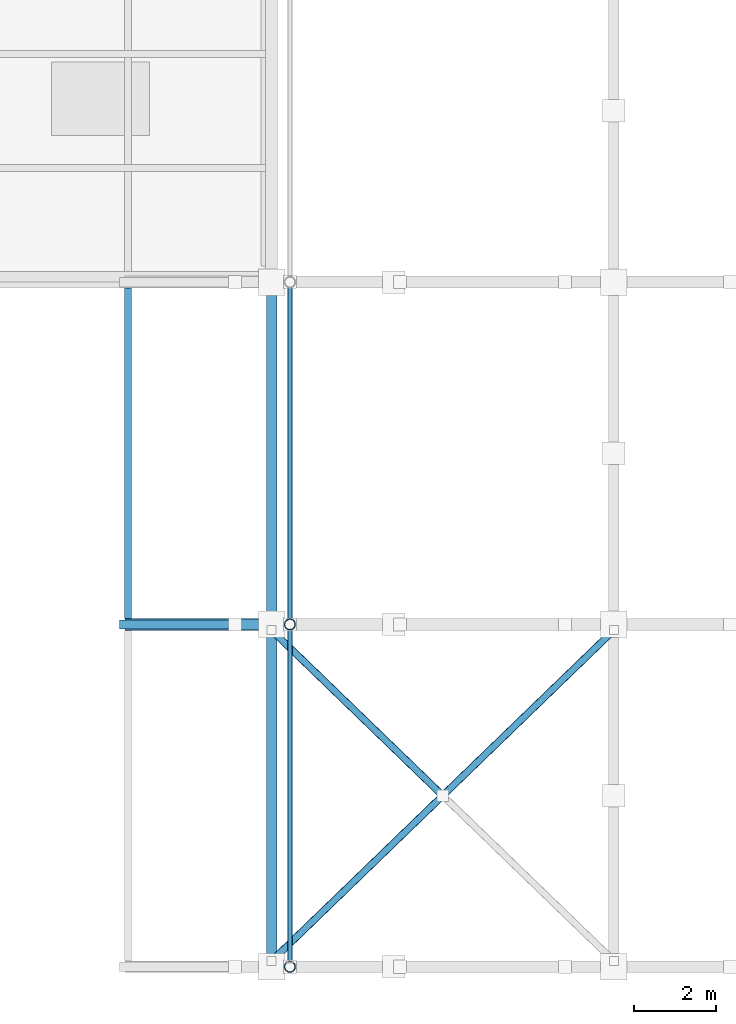
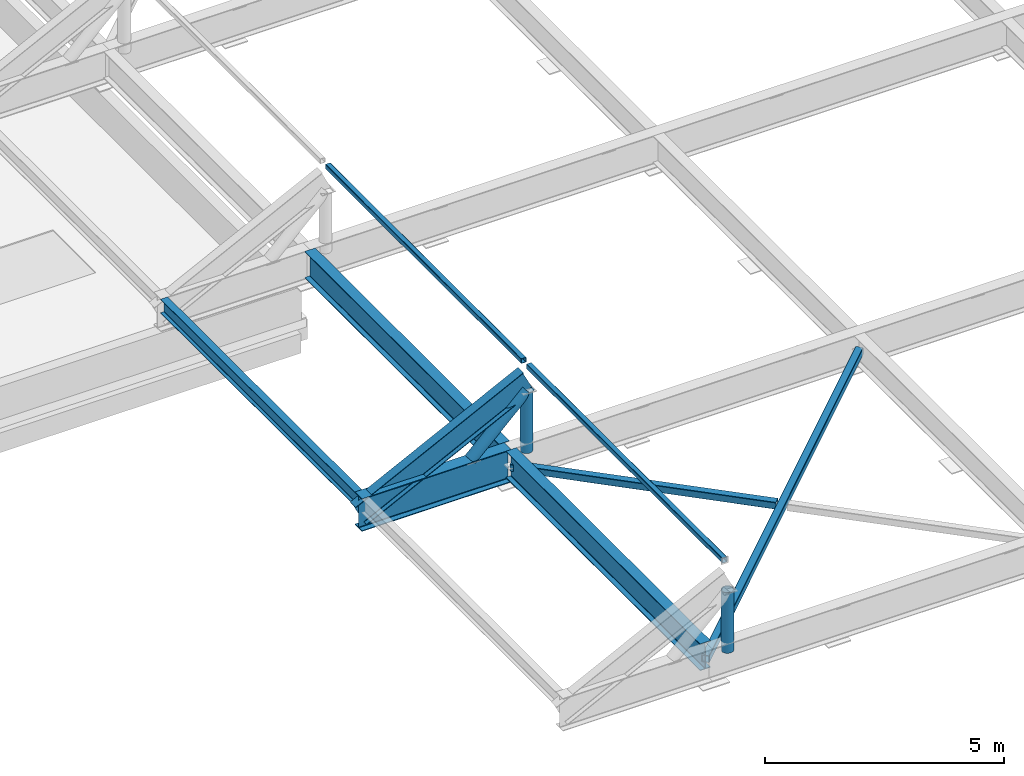
# One storey, part 2 of 41: 7 members, 5 beams.
"""IFC4 building model written with IfcOpenShell, lengths in metres."""

from ifc_helpers import new_model, si_unit, direction, frame, origin, origin_2d, place, context, subcontext, project, spatial, hollow_rectangle, hollow_circle, i_section, extrude, material, material_profile, profile_set, type_object, element, save


model = new_model("IFC4")

# Units and contexts
model_context = context("Model", 3, precision=1e-05, world=origin(), true_north=direction((0.0, 1.0)))
body_context = subcontext(model_context, "Body", "Model", "MODEL_VIEW")
ifc_project = project(units=[si_unit("LENGTHUNIT", "METRE"), si_unit("AREAUNIT", "SQUARE_METRE"), si_unit("VOLUMEUNIT", "CUBIC_METRE"), si_unit("PLANEANGLEUNIT", "RADIAN"), si_unit("MASSUNIT", "GRAM", prefix="KILO")], contexts=[model_context])

# Site, building, storey
site_placement = place(None, origin())
site = spatial("IfcSite", under=ifc_project, at=site_placement, CompositionType="ELEMENT")
building_placement = place(site_placement, origin())
building = spatial("IfcBuilding", under=site, at=building_placement, Name="Vireocrest Preparatory School", CompositionType="ELEMENT")
storey_placement = place(building_placement, frame((0.0, 0.0, 21.60009765625)))
storey = spatial("IfcBuildingStorey", under=building, at=storey_placement, Name="L05", CompositionType="ELEMENT", Elevation=21.60009765625)

# Beams
ifc_material_1 = material(Name="Structural steel ASTM A992 Grade 50", Category="steel")
ifc_material_profile_1 = material_profile(ifc_material_1, i_section(OverallWidth=0.25390625, OverallDepth=0.68408203125, WebThickness=0.012451171875, FlangeThickness=0.018798828125, FilletRadius=0.01806640625, at=origin_2d()), Name="W27X94")
ifc_profile_set_1 = profile_set([ifc_material_profile_1], Name="Structural steel ASTM A992 Grade 50")
beam_type_1 = type_object("IfcBeamType", Name="Bridge Primary Steel Girder W27X94", PredefinedType="BEAM", material=ifc_profile_set_1)
for number, where, z_axis, x_axis, name in (
    (1, (67.199951171875, 27.14404296875, 1.492919921875), (0.0, 1.0, 0.0), (-1.0, 0.0, 0.0), "Canopy Longitudinal Beam WO-1"),
    (2, (67.199951171875, 35.5439453125, 1.492919921875), (0.0, 1.0, 0.0), (-1.0, 0.0, 0.0), "Canopy Longitudinal Beam WO-2"),
):
    element("IfcBeam", number, at=place(storey_placement, frame(where, z_axis=z_axis, x_axis=x_axis)), inside=storey, type_object=beam_type_1, Name=name, PredefinedType="BEAM", context=body_context, shape_type="SweptSolid", body=[
        extrude(i_section(OverallWidth=0.25390625, OverallDepth=0.68408203125, WebThickness=0.012451171875, FlangeThickness=0.018798828125, FilletRadius=0.01806640625, at=origin_2d()), origin(), (0.0, 0.0, 1.0), 8.112060546875),
    ])

# Members
ifc_material_2 = material(Name="Painted white steel ASTM A500 Grade C", Category="steel")
ifc_material_profile_2 = material_profile(ifc_material_2, hollow_rectangle(XDim=0.126953125, YDim=0.126953125, WallThickness=0.0087890625, InnerFilletRadius=0.0087890625, OuterFilletRadius=0.017822265625, at=origin_2d()), Name="HSS5X5X3/8")
ifc_profile_set_2 = profile_set([ifc_material_profile_2], Name="Painted white steel ASTM A500 Grade C")
member_type_1 = type_object("IfcMemberType", Name="Canopy Glass Steel Purlin HSS5X5X3/8", PredefinedType="PURLIN", material=ifc_profile_set_2)
for number, where, z_axis, x_axis, name in (
    (3, (67.64990234375, 27.110107421875, 3.7919921875), (0.0, 1.0, 0.0), (-1.0, 0.0, 0.0), "Canopy Glass Purlin PR2-1-2"),
    (4, (67.64990234375, 35.510009765625, 3.7919921875), (0.0, 1.0, 0.0), (-1.0, 0.0, 0.0), "Canopy Glass Purlin PR2-2-2"),
):
    element("IfcMember", number, at=place(storey_placement, frame(where, z_axis=z_axis, x_axis=x_axis)), inside=storey, type_object=member_type_1, Name=name, PredefinedType="PURLIN", context=body_context, shape_type="SweptSolid", body=[
        extrude(hollow_rectangle(XDim=0.126953125, YDim=0.126953125, WallThickness=0.0087890625, InnerFilletRadius=0.0087890625, OuterFilletRadius=0.017822265625, at=origin_2d()), origin(), (0.0, 0.0, 1.0), 8.179931640625),
    ])
ifc_material_profile_3 = material_profile(ifc_material_2, hollow_rectangle(XDim=0.177734375, YDim=0.177734375, WallThickness=0.0087890625, InnerFilletRadius=0.0087890625, OuterFilletRadius=0.017822265625, at=origin_2d()), Name="HSS7X7X3/8")
ifc_profile_set_3 = profile_set([ifc_material_profile_3], Name="Painted white steel ASTM A500 Grade C")
member_type_2 = type_object("IfcMemberType", Name="Canopy Plane Wind Brace HSS7X7X3/8", PredefinedType="BRACE", material=ifc_profile_set_3)
member_1_placement = place(storey_placement, frame((67.199951171875, 27.139892578125, 1.41748046875), z_axis=(0.718989420278, 0.695021016609, 0.0), x_axis=(-0.695021016609, 0.718989420278, 0.0)))
element("IfcMember", 5, at=member_1_placement, inside=storey, type_object=member_type_2, Name="Canopy Wind Brace BR2-1-W", PredefinedType="BRACE", context=body_context, shape_type="SweptSolid", body=[
    extrude(hollow_rectangle(XDim=0.177734375, YDim=0.177734375, WallThickness=0.0087890625, InnerFilletRadius=0.0087890625, OuterFilletRadius=0.017822265625, at=origin_2d()), origin(), (0.0, 0.0, 1.0), 11.683349609375),
])
member_2_placement = place(storey_placement, frame((67.199951171875, 35.260009765625, 1.41748046875), z_axis=(0.718995483653, -0.695014744079, 0.0), x_axis=(0.695014744079, 0.718995483653, 0.0)))
element("IfcMember", 6, at=member_2_placement, inside=storey, type_object=member_type_2, Name="Canopy Split Wind X-Brace BR2-1-W-1", PredefinedType="BRACE", context=body_context, shape_type="SweptSolid", body=[
    extrude(hollow_rectangle(XDim=0.177734375, YDim=0.177734375, WallThickness=0.0087890625, InnerFilletRadius=0.0087890625, OuterFilletRadius=0.017822265625, at=origin_2d()), origin(), (0.0, 0.0, 1.0), 5.721435546875),
])

# Beams
ifc_material_profile_4 = material_profile(ifc_material_1, i_section(OverallWidth=0.2919921875, OverallDepth=0.8349609375, WebThickness=0.013916015625, FlangeThickness=0.018798828125, FilletRadius=0.02001953125, at=origin_2d()), Name="W33X118")
ifc_profile_set_4 = profile_set([ifc_material_profile_4], Name="Structural steel ASTM A992 Grade 50")
beam_type_2 = type_object("IfcBeamType", Name="Central Court Canopy Primary Girder W33X118", PredefinedType="BEAM", material=ifc_profile_set_4)
beam_1_placement = place(storey_placement, frame((63.60009765625, 35.39990234375, 1.41748046875), z_axis=(1.0, 0.0, 0.0), x_axis=(0.0, 1.0, 0.0)))
element("IfcBeam", 7, at=beam_1_placement, inside=storey, type_object=beam_type_2, Name="Central Court Canopy Primary Girder CG1-2W", PredefinedType="BEAM", context=body_context, shape_type="SweptSolid", body=[
    extrude(i_section(OverallWidth=0.2919921875, OverallDepth=0.8349609375, WebThickness=0.013916015625, FlangeThickness=0.018798828125, FilletRadius=0.02001953125, at=origin_2d()), origin(), (0.0, 0.0, 1.0), 3.599853515625),
])
ifc_material_profile_5 = material_profile(ifc_material_1, i_section(OverallWidth=0.22802734375, OverallDepth=0.60302734375, WebThickness=0.010498046875, FlangeThickness=0.014892578125, FilletRadius=0.01611328125, at=origin_2d()), Name="W24X68")
ifc_profile_set_5 = profile_set([ifc_material_profile_5], Name="Structural steel ASTM A992 Grade 50")
beam_type_3 = type_object("IfcBeamType", Name="Dining Pavilion Roof Girder W24X68", PredefinedType="BEAM", material=ifc_profile_set_5)
beam_2_placement = place(storey_placement, frame((63.60009765625, 35.39990234375, 1.374267578125), z_axis=(0.894858343539, 0.0, 0.446350249243), x_axis=(0.0, 1.0, 0.0)))
element("IfcBeam", 8, at=beam_2_placement, inside=storey, type_object=beam_type_3, Name="Canopy Rafter Chord SB4-2-1", PredefinedType="BEAM", context=body_context, shape_type="SweptSolid", body=[
    extrude(i_section(OverallWidth=0.22802734375, OverallDepth=0.60302734375, WebThickness=0.010498046875, FlangeThickness=0.014892578125, FilletRadius=0.01611328125, at=origin_2d()), origin(), (0.0, 0.0, 1.0), 4.525634765625),
])
ifc_material_profile_6 = material_profile(ifc_material_1, i_section(OverallWidth=0.172119140625, OverallDepth=0.35791015625, WebThickness=0.0078125, FlangeThickness=0.01318359375, FilletRadius=0.012939453125, at=origin_2d()), Name="W14X38")
ifc_profile_set_6 = profile_set([ifc_material_profile_6], Name="Structural steel ASTM A992 Grade 50")
beam_type_4 = type_object("IfcBeamType", Name="Entrance Canopy Header Lintel W14X38", PredefinedType="USERDEFINED", material=ifc_profile_set_6)
beam_3_placement = place(storey_placement, frame((63.679931640625, 35.5439453125, 1.656005859375), z_axis=(0.0, 1.0, 0.0), x_axis=(-1.0, 0.0, 0.0)))
element("IfcBeam", 9, at=beam_3_placement, inside=storey, type_object=beam_type_4, Name="Canopy Longitudinal Beam WTIP-2", ObjectType="LINTEL", PredefinedType="USERDEFINED", context=body_context, shape_type="SweptSolid", body=[
    extrude(i_section(OverallWidth=0.172119140625, OverallDepth=0.35791015625, WebThickness=0.0078125, FlangeThickness=0.01318359375, FilletRadius=0.012939453125, at=origin_2d()), origin(), (0.0, 0.0, 1.0), 8.112060546875),
])

# Members
ifc_material_profile_7 = material_profile(ifc_material_2, hollow_circle(Radius=0.136474609375, WallThickness=0.0126953125, at=origin_2d()), Name="HSS10.750X0.500")
ifc_profile_set_7 = profile_set([ifc_material_profile_7], Name="Painted white steel ASTM A500 Grade C")
member_type_3 = type_object("IfcMemberType", Name="White Steel Clerestory Strut HSS10.750X0.500", PredefinedType="USERDEFINED", material=ifc_profile_set_7)
for number, where, z_axis, x_axis, name in (
    (10, (67.64990234375, 27.0, 1.577392578125), (0.0, 0.0, 1.0), (1.0, 0.0, 0.0), "Canopy Truss Web Vertical VS3-1-2"),
    (11, (67.64990234375, 35.39990234375, 1.577392578125), (0.0, 0.0, 1.0), (1.0, 0.0, 0.0), "Canopy Truss Web Vertical VS3-2-2"),
):
    element("IfcMember", number, at=place(storey_placement, frame(where, z_axis=z_axis, x_axis=x_axis)), inside=storey, type_object=member_type_3, Name=name, ObjectType="STRUT", PredefinedType="USERDEFINED", context=body_context, shape_type="SweptSolid", body=[
        extrude(hollow_circle(Radius=0.136474609375, WallThickness=0.0126953125, at=origin_2d()), origin(), (0.0, 0.0, 1.0), 1.54052734375),
    ])
member_3_placement = place(storey_placement, frame((66.300048828125, 35.39990234375, 1.81494140625), z_axis=(0.719488902292, 0.0, 0.694503937698), x_axis=(0.0, 1.0, 0.0)))
element("IfcMember", 12, at=member_3_placement, inside=storey, type_object=member_type_3, Name="Canopy Truss Web Strut VS3-2-1", ObjectType="STRUT", PredefinedType="USERDEFINED", context=body_context, shape_type="SweptSolid", body=[
    extrude(hollow_circle(Radius=0.136474609375, WallThickness=0.0126953125, at=origin_2d()), origin(), (0.0, 0.0, 1.0), 1.876220703125),
])

save(model, "model.ifc")
